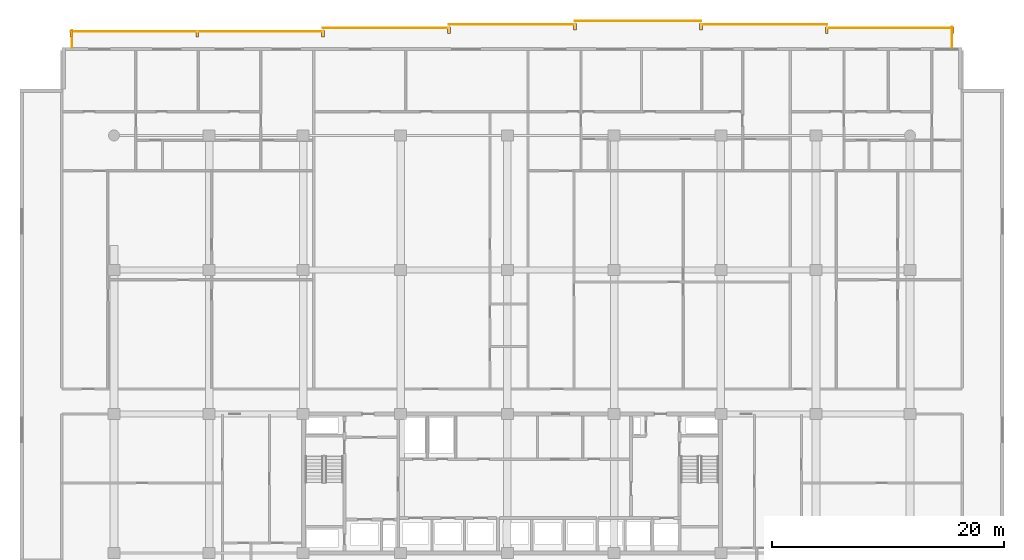
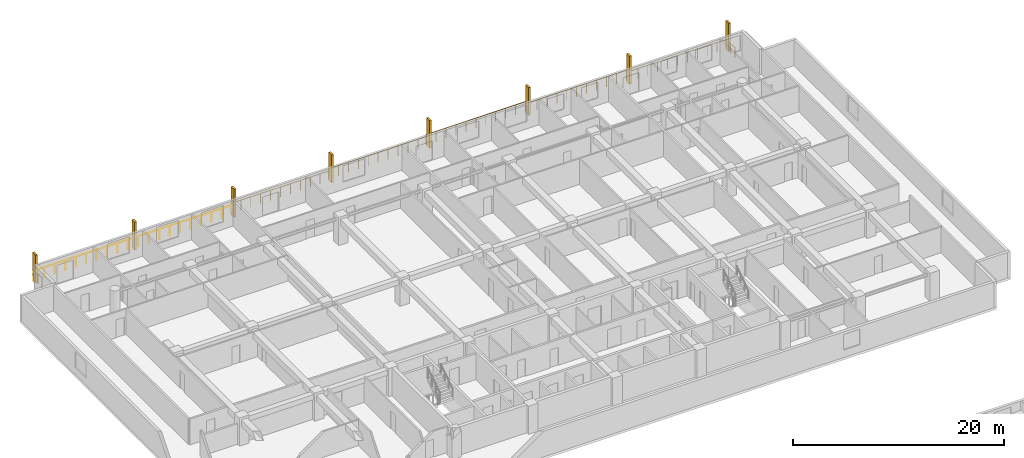
# One storey, part 23 of 23: 8 railings, 8 shading devices.
"""IFC4 building model written with IfcOpenShell, lengths in metres."""

import ifcopenshell
import ifcopenshell.guid

model = None  # the IFC model being written
_history = None  # IfcOwnerHistory: only IFC2X3 demands one
_inside = {}  # id of a spatial element -> (the spatial element, [elements in it])
_under = {}  # id of a project, library or spatial element -> (it, [spatial elements below it])
_declared = {}  # id of a project -> (the project, [libraries it declares])
_typed = {}  # id of a type object -> (the type object, [elements of that type])
_made_of = {}  # id of a material, layer set ... -> (it, [elements and type objects made of it])


def new_model(schema):
    """Start an empty IFC model of exactly this schema.

    Asked for "IFC4X3", IfcOpenShell would pick the latest addendum, in which some entities
    have other attributes; the version numbers below select the first issue.
    IFC2X3 requires an IfcOwnerHistory on every rooted entity: one is made here for all.
    """
    global model, _history
    if schema == "IFC4X3":
        model = ifcopenshell.file(schema_version=(4, 3, 0, 0))
    else:
        model = ifcopenshell.file(schema=schema)
    _inside.clear()
    _under.clear()
    _declared.clear()
    _typed.clear()
    _made_of.clear()
    _history = None
    if model.schema == "IFC2X3":
        org = make("IfcOrganization", Name="unknown")
        user = make(
            "IfcPersonAndOrganization",
            ThePerson=make("IfcPerson", FamilyName="unknown"),
            TheOrganization=org,
        )
        app = make(
            "IfcApplication",
            ApplicationDeveloper=org,
            Version="unknown",
            ApplicationFullName="unknown",
            ApplicationIdentifier="unknown",
        )
        _history = make(
            "IfcOwnerHistory",
            OwningUser=user,
            OwningApplication=app,
            ChangeAction="ADDED",
            CreationDate=0,
        )
    return model


def make(cls, **values):
    """One entity of the class cls with the attributes given. An attribute that is None is left unset."""
    return model.create_entity(
        cls, **{name: value for name, value in values.items() if value is not None}
    )


def rooted(cls, **values):
    """An entity with a GlobalId (a new one), such as an element, a storey or a relation."""
    return make(cls, GlobalId=ifcopenshell.guid.new(), OwnerHistory=_history, **values)


def si_unit(unit_type, name, prefix=None):
    """IfcSIUnit, for example si_unit("LENGTHUNIT", "METRE", prefix="MILLI")."""
    return make("IfcSIUnit", UnitType=unit_type, Prefix=prefix, Name=name)


def assignment(units):
    """IfcUnitAssignment: the units of a project."""
    return None if units is None else make("IfcUnitAssignment", Units=units)


def point(xyz):
    """IfcCartesianPoint."""
    return None if xyz is None else make("IfcCartesianPoint", Coordinates=xyz)


def direction(xyz):
    """IfcDirection."""
    return None if xyz is None else make("IfcDirection", DirectionRatios=xyz)


def frame(location, z_axis=None, x_axis=None):
    """IfcAxis2Placement3D, a coordinate frame: its origin and axes. An axis left out is left unset."""
    return make(
        "IfcAxis2Placement3D",
        Location=point(location),
        Axis=direction(z_axis),
        RefDirection=direction(x_axis),
    )


def frame_2d(location, x_axis=None):
    """IfcAxis2Placement2D, a coordinate frame in the plane: its origin and x axis."""
    return make(
        "IfcAxis2Placement2D", Location=point(location), RefDirection=direction(x_axis)
    )


def origin():
    """The frame at (0, 0, 0) with its axes left unset."""
    return frame((0.0, 0.0, 0.0))


def origin_2d():
    """The frame at (0, 0) in the plane with its x axis left unset."""
    return frame_2d((0.0, 0.0))


def place(relative_to, where):
    """IfcLocalPlacement: puts the frame where relative to a parent placement (None: the world)."""
    return make(
        "IfcLocalPlacement", PlacementRelTo=relative_to, RelativePlacement=where
    )


def context(
    kind, dimensions, precision=None, world=None, true_north=None, identifier=None
):
    """IfcGeometricRepresentationContext, for example the 3D "Model" context."""
    return make(
        "IfcGeometricRepresentationContext",
        ContextIdentifier=identifier,
        ContextType=kind,
        CoordinateSpaceDimension=dimensions,
        Precision=precision,
        WorldCoordinateSystem=world,
        TrueNorth=true_north,
    )


def subcontext(parent, identifier, kind, view, scale=None):
    """IfcGeometricRepresentationSubContext, for example "Body" below "Model"."""
    return make(
        "IfcGeometricRepresentationSubContext",
        ContextIdentifier=identifier,
        ContextType=kind,
        ParentContext=parent,
        TargetScale=scale,
        TargetView=view,
    )


def project(units=None, contexts=None):
    """IfcProject with its units and contexts."""
    return rooted(
        "IfcProject",
        Name="project",
        RepresentationContexts=contexts,
        UnitsInContext=assignment(units),
    )


def spatial(cls, under=None, at=None, **own):
    """A site, building, storey or space (cls), placed at a placement, below another one or the project."""
    s = rooted(cls, ObjectPlacement=at, **own)
    if under is not None:
        _under.setdefault(under.id(), (under, []))[1].append(s)
    return s


def profile(cls, at=None, kind="AREA", **sizes):
    """A parametric profile (cls). Its sizes go by their IFC names, for example OverallWidth=200.0."""
    return make(cls, ProfileType=kind, Position=at, **sizes)


def rectangle(**sizes):
    """IfcRectangleProfileDef."""
    return profile("IfcRectangleProfileDef", **sizes)


def circle(**sizes):
    """IfcCircleProfileDef."""
    return profile("IfcCircleProfileDef", **sizes)


def extrude(swept, where, along, depth):
    """IfcExtrudedAreaSolid: the profile swept, set in the frame where, extruded along a direction by depth."""
    return make(
        "IfcExtrudedAreaSolid",
        SweptArea=swept,
        Position=where,
        ExtrudedDirection=direction(along),
        Depth=depth,
    )


def shape(context_of_items, identifier, shape_type, items):
    """IfcShapeRepresentation: the items that make up one representation, for example the "Body"."""
    return make(
        "IfcShapeRepresentation",
        ContextOfItems=context_of_items,
        RepresentationIdentifier=identifier,
        RepresentationType=shape_type,
        Items=items,
    )


def material(Name=None, Category=None):
    """IfcMaterial."""
    return make("IfcMaterial", Name=Name, Category=Category)


def made_of(thing, what):
    """Note that an element or type object is made of a material, layer set ...; save() writes the relation."""
    if what is not None:
        _made_of.setdefault(what.id(), (what, []))[1].append(thing)
    return thing


def type_object(cls, material=None, **own):
    """A type object (cls), such as IfcWallType, which elements share."""
    return made_of(rooted(cls, **own), material)


def element(
    cls,
    number,
    at=None,
    inside=None,
    cuts=None,
    type_object=None,
    material=None,
    context=None,
    identifier="Body",
    shape_type=None,
    held_by="IfcProductDefinitionShape",
    body=None,
    shapes=None,
    **own,
):
    """One element of the class cls, such as IfcWall. Its Tag is "e" and its number.

    at: its placement. inside: the storey or other place that contains it. cuts: it is an
    opening in that element (IfcRelVoidsElement). A single representation is given by context,
    identifier, shape_type and body (its items); several are given by shapes. held_by: the class
    of the entity that holds the representations. save() writes the other relations.
    """
    e = rooted(cls, Tag="e%d" % number, ObjectPlacement=at, **own)
    if body is not None:
        shapes = [shape(context, identifier, shape_type, body)]
    if shapes is not None:
        e.Representation = make(held_by, Representations=shapes)
    if inside is not None:
        _inside.setdefault(inside.id(), (inside, []))[1].append(e)
    if cuts is not None:
        rooted(
            "IfcRelVoidsElement", RelatingBuildingElement=cuts, RelatedOpeningElement=e
        )
    if type_object is not None:
        _typed.setdefault(type_object.id(), (type_object, []))[1].append(e)
    return made_of(e, material)


def aggregate(whole, parts):
    """IfcRelAggregates: a whole, such as a stair, and the parts it consists of."""
    return rooted("IfcRelAggregates", RelatingObject=whole, RelatedObjects=parts)


def save(model, path):
    """Write the relations noted so far, then the file.

    IfcRelAggregates (storeys below a building ...), IfcRelContainedInSpatialStructure (elements
    in a storey), IfcRelDefinesByType, IfcRelAssociatesMaterial and IfcRelDeclares: one each for
    every whole, place, type object, material and project.
    """
    for whole, parts in _under.values():
        aggregate(whole, parts)
    for where, things in _inside.values():
        rooted(
            "IfcRelContainedInSpatialStructure",
            RelatedElements=things,
            RelatingStructure=where,
        )
    for kind, things in _typed.values():
        rooted("IfcRelDefinesByType", RelatedObjects=things, RelatingType=kind)
    for what, things in _made_of.values():
        rooted("IfcRelAssociatesMaterial", RelatedObjects=things, RelatingMaterial=what)
    for by, libraries in _declared.values():
        rooted("IfcRelDeclares", RelatingContext=by, RelatedDefinitions=libraries)
    model.write(path)


model = new_model("IFC4")

# Units and contexts
model_context = context("Model", 3, precision=1e-05, world=origin(), true_north=direction((0.0, 1.0)))
body_context = subcontext(model_context, "Body", "Model", "MODEL_VIEW")
ifc_project = project(units=[si_unit("LENGTHUNIT", "METRE"), si_unit("AREAUNIT", "SQUARE_METRE"), si_unit("VOLUMEUNIT", "CUBIC_METRE"), si_unit("PLANEANGLEUNIT", "RADIAN"), si_unit("MASSUNIT", "GRAM", prefix="KILO")], contexts=[model_context])

# Site, building, storey
site_placement = place(None, origin())
site = spatial("IfcSite", under=ifc_project, at=site_placement, CompositionType="ELEMENT")
building_placement = place(site_placement, origin())
building = spatial("IfcBuilding", under=site, at=building_placement, Name="Korimba Cascade Residences", CompositionType="ELEMENT")
storey_placement = place(building_placement, frame((0.0, 0.0, 56.5)))
storey = spatial("IfcBuildingStorey", under=building, at=storey_placement, Name="L15", CompositionType="ELEMENT", Elevation=56.5)

# Railings
ifc_material_1 = material(Name="Laminated Glass and Bronze Balustrade", Category="glass")
railing_type = type_object("IfcRailingType", Name="RLG-LOG-1150", PredefinedType="BALUSTRADE", material=ifc_material_1)
railing_1_placement = place(storey_placement, frame((132.02001953125, 98.800048828125, 0.0)))
element("IfcRailing", 1, at=railing_1_placement, inside=storey, type_object=railing_type, Name="L15 Perimeter Guardrail RLG-L15-T1-LOG-01", PredefinedType="BALUSTRADE", context=body_context, shape_type="SweptSolid", body=[
    extrude(circle(Radius=0.02392578125, at=origin_2d()), frame((0.0, 0.0, 1.1259765625), z_axis=(0.0, 1.0, 0.0), x_axis=(-1.0, 0.0, 0.0)), (0.0, 0.0, 1.0), 1.75),
    extrude(circle(Radius=0.02099609375, at=origin_2d()), origin(), (0.0, 0.0, 1.0), 1.101806640625),
    extrude(circle(Radius=0.02099609375, at=origin_2d()), frame((0.0, 0.875, 0.0)), (0.0, 0.0, 1.0), 1.101806640625),
    extrude(circle(Radius=0.02099609375, at=origin_2d()), frame((0.0, 1.75, 0.0)), (0.0, 0.0, 1.0), 1.101806640625),
])
for number, where, name in (
    (2, (132.10009765625, 100.469970703125, 0.0), "L15 Perimeter Guardrail RLG-L15-T1-LOG-02"),
    (3, (121.242919921875, 100.77001953125, 0.0), "L15 Perimeter Guardrail RLG-L15-T1-LOG-03"),
    (4, (110.3857421875, 101.070068359375, 0.0), "L15 Perimeter Guardrail RLG-L15-T1-LOG-04"),
    (5, (99.528564453125, 100.77001953125, 0.0), "L15 Perimeter Guardrail RLG-L15-T1-LOG-05"),
    (6, (88.67138671875, 100.469970703125, 0.0), "L15 Perimeter Guardrail RLG-L15-T1-LOG-06"),
):
    element("IfcRailing", number, at=place(storey_placement, frame(where)), inside=storey, type_object=railing_type, Name=name, PredefinedType="BALUSTRADE", context=body_context, shape_type="SweptSolid", body=[
        extrude(circle(Radius=0.02392578125, at=origin_2d()), frame((0.0, 0.0, 1.1259765625), z_axis=(-1.0, 0.0, 0.0), x_axis=(0.0, -1.0, 0.0)), (0.0, 0.0, 1.0), 10.857177734375),
        extrude(circle(Radius=0.02099609375, at=origin_2d()), origin(), (0.0, 0.0, 1.0), 1.101806640625),
        extrude(circle(Radius=0.02099609375, at=origin_2d()), frame((-1.085693359375, 0.0, 0.0)), (0.0, 0.0, 1.0), 1.101806640625),
        extrude(circle(Radius=0.02099609375, at=origin_2d()), frame((-2.17138671875, 0.0, 0.0)), (0.0, 0.0, 1.0), 1.101806640625),
        extrude(circle(Radius=0.02099609375, at=origin_2d()), frame((-3.257080078125, 0.0, 0.0)), (0.0, 0.0, 1.0), 1.101806640625),
        extrude(circle(Radius=0.02099609375, at=origin_2d()), frame((-4.3427734375, 0.0, 0.0)), (0.0, 0.0, 1.0), 1.101806640625),
        extrude(circle(Radius=0.02099609375, at=origin_2d()), frame((-5.4287109375, 0.0, 0.0)), (0.0, 0.0, 1.0), 1.101806640625),
        extrude(circle(Radius=0.02099609375, at=origin_2d()), frame((-6.514404296875, 0.0, 0.0)), (0.0, 0.0, 1.0), 1.101806640625),
        extrude(circle(Radius=0.02099609375, at=origin_2d()), frame((-7.60009765625, 0.0, 0.0)), (0.0, 0.0, 1.0), 1.101806640625),
        extrude(circle(Radius=0.02099609375, at=origin_2d()), frame((-8.685791015625, 0.0, 0.0)), (0.0, 0.0, 1.0), 1.101806640625),
        extrude(circle(Radius=0.02099609375, at=origin_2d()), frame((-9.771484375, 0.0, 0.0)), (0.0, 0.0, 1.0), 1.101806640625),
        extrude(circle(Radius=0.02099609375, at=origin_2d()), frame((-10.857177734375, 0.0, 0.0)), (0.0, 0.0, 1.0), 1.101806640625),
    ])
railing_2_placement = place(storey_placement, frame((77.814208984375, 100.169921875, 0.0)))
element("IfcRailing", 7, at=railing_2_placement, inside=storey, type_object=railing_type, Name="L15 Perimeter Guardrail RLG-L15-T1-LOG-07", PredefinedType="BALUSTRADE", context=body_context, shape_type="SweptSolid", body=[
    extrude(circle(Radius=0.02392578125, at=origin_2d()), frame((0.0, 0.0, 1.1259765625), z_axis=(-1.0, 0.0, 0.0), x_axis=(0.0, -1.0, 0.0)), (0.0, 0.0, 1.0), 21.714111328125),
    extrude(circle(Radius=0.02099609375, at=origin_2d()), origin(), (0.0, 0.0, 1.0), 1.101806640625),
    extrude(circle(Radius=0.02099609375, at=origin_2d()), frame((-1.142822265625, 0.0, 0.0)), (0.0, 0.0, 1.0), 1.101806640625),
    extrude(circle(Radius=0.02099609375, at=origin_2d()), frame((-2.28564453125, 0.0, 0.0)), (0.0, 0.0, 1.0), 1.101806640625),
    extrude(circle(Radius=0.02099609375, at=origin_2d()), frame((-3.428466796875, 0.0, 0.0)), (0.0, 0.0, 1.0), 1.101806640625),
    extrude(circle(Radius=0.02099609375, at=origin_2d()), frame((-4.5712890625, 0.0, 0.0)), (0.0, 0.0, 1.0), 1.101806640625),
    extrude(circle(Radius=0.02099609375, at=origin_2d()), frame((-5.71435546875, 0.0, 0.0)), (0.0, 0.0, 1.0), 1.101806640625),
    extrude(circle(Radius=0.02099609375, at=origin_2d()), frame((-6.857177734375, 0.0, 0.0)), (0.0, 0.0, 1.0), 1.101806640625),
    extrude(circle(Radius=0.02099609375, at=origin_2d()), frame((-8.0, 0.0, 0.0)), (0.0, 0.0, 1.0), 1.101806640625),
    extrude(circle(Radius=0.02099609375, at=origin_2d()), frame((-9.142822265625, 0.0, 0.0)), (0.0, 0.0, 1.0), 1.101806640625),
    extrude(circle(Radius=0.02099609375, at=origin_2d()), frame((-10.28564453125, 0.0, 0.0)), (0.0, 0.0, 1.0), 1.101806640625),
    extrude(circle(Radius=0.02099609375, at=origin_2d()), frame((-11.428466796875, 0.0, 0.0)), (0.0, 0.0, 1.0), 1.101806640625),
    extrude(circle(Radius=0.02099609375, at=origin_2d()), frame((-12.5712890625, 0.0, 0.0)), (0.0, 0.0, 1.0), 1.101806640625),
    extrude(circle(Radius=0.02099609375, at=origin_2d()), frame((-13.714111328125, 0.0, 0.0)), (0.0, 0.0, 1.0), 1.101806640625),
    extrude(circle(Radius=0.02099609375, at=origin_2d()), frame((-14.85693359375, 0.0, 0.0)), (0.0, 0.0, 1.0), 1.101806640625),
    extrude(circle(Radius=0.02099609375, at=origin_2d()), frame((-15.999755859375, 0.0, 0.0)), (0.0, 0.0, 1.0), 1.101806640625),
    extrude(circle(Radius=0.02099609375, at=origin_2d()), frame((-17.142822265625, 0.0, 0.0)), (0.0, 0.0, 1.0), 1.101806640625),
    extrude(circle(Radius=0.02099609375, at=origin_2d()), frame((-18.28564453125, 0.0, 0.0)), (0.0, 0.0, 1.0), 1.101806640625),
    extrude(circle(Radius=0.02099609375, at=origin_2d()), frame((-19.428466796875, 0.0, 0.0)), (0.0, 0.0, 1.0), 1.101806640625),
    extrude(circle(Radius=0.02099609375, at=origin_2d()), frame((-20.5712890625, 0.0, 0.0)), (0.0, 0.0, 1.0), 1.101806640625),
    extrude(circle(Radius=0.02099609375, at=origin_2d()), frame((-21.714111328125, 0.0, 0.0)), (0.0, 0.0, 1.0), 1.101806640625),
])
railing_3_placement = place(storey_placement, frame((56.179931640625, 100.25, 0.0)))
element("IfcRailing", 8, at=railing_3_placement, inside=storey, type_object=railing_type, Name="L15 Perimeter Guardrail RLG-L15-T1-LOG-08", PredefinedType="BALUSTRADE", context=body_context, shape_type="SweptSolid", body=[
    extrude(circle(Radius=0.02392578125, at=origin_2d()), frame((0.0, 0.0, 1.1259765625), z_axis=(0.0, -1.0, 0.0), x_axis=(1.0, 0.0, 0.0)), (0.0, 0.0, 1.0), 1.449951171875),
    extrude(circle(Radius=0.02099609375, at=origin_2d()), origin(), (0.0, 0.0, 1.0), 1.101806640625),
    extrude(circle(Radius=0.02099609375, at=origin_2d()), frame((0.0, -0.72509765625, 0.0)), (0.0, 0.0, 1.0), 1.101806640625),
    extrude(circle(Radius=0.02099609375, at=origin_2d()), frame((0.0, -1.449951171875, 0.0)), (0.0, 0.0, 1.0), 1.101806640625),
])

# Shading devices
ifc_material_2 = material(Name="Honed Sandstone Precast Fin", Category="masonry")
shading_device_type = type_object("IfcShadingDeviceType", Name="SHD-FIN-550", PredefinedType="USERDEFINED", material=ifc_material_2)
for number, where, z_axis, x_axis, name in (
    (9, (56.10009765625, 99.97509765625, 0.0), (0.0, 0.0, 1.0), (1.0, 0.0, 0.0), "L15 T1 Warm-Stone Loggia Fin 1"),
    (10, (66.95703125, 99.97509765625, 0.0), (0.0, 0.0, 1.0), (1.0, 0.0, 0.0), "L15 T1 Warm-Stone Loggia Fin 2"),
    (11, (77.814208984375, 99.97509765625, 0.0), (0.0, 0.0, 1.0), (1.0, 0.0, 0.0), "L15 T1 Warm-Stone Loggia Fin 3"),
    (12, (88.67138671875, 100.27490234375, 0.0), (0.0, 0.0, 1.0), (1.0, 0.0, 0.0), "L15 T1 Warm-Stone Loggia Fin 4"),
    (13, (99.528564453125, 100.574951171875, 0.0), (0.0, 0.0, 1.0), (1.0, 0.0, 0.0), "L15 T1 Warm-Stone Loggia Fin 5"),
    (14, (110.3857421875, 100.574951171875, 0.0), (0.0, 0.0, 1.0), (1.0, 0.0, 0.0), "L15 T1 Warm-Stone Loggia Fin 6"),
    (15, (121.242919921875, 100.27490234375, 0.0), (0.0, 0.0, 1.0), (1.0, 0.0, 0.0), "L15 T1 Warm-Stone Loggia Fin 7"),
    (16, (132.10009765625, 100.27490234375, 0.0), (0.0, 0.0, 1.0), (1.0, 0.0, 0.0), "L15 T1 Warm-Stone Loggia Fin 8"),
):
    element("IfcShadingDevice", number, at=place(storey_placement, frame(where, z_axis=z_axis, x_axis=x_axis)), inside=storey, type_object=shading_device_type, Name=name, ObjectType="FIN", PredefinedType="USERDEFINED", context=body_context, shape_type="SweptSolid", body=[
        extrude(rectangle(XDim=0.219970703125, YDim=0.550048828125, at=origin_2d()), origin(), (0.0, 0.0, 1.0), 3.25),
    ])

save(model, "model.ifc")
